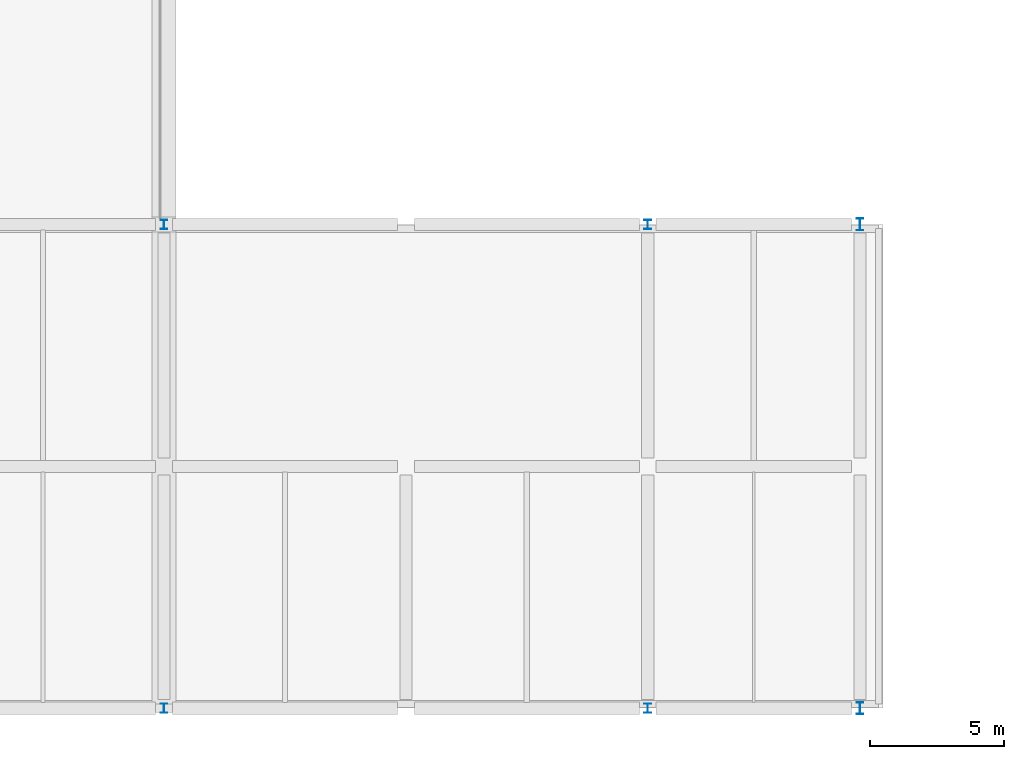
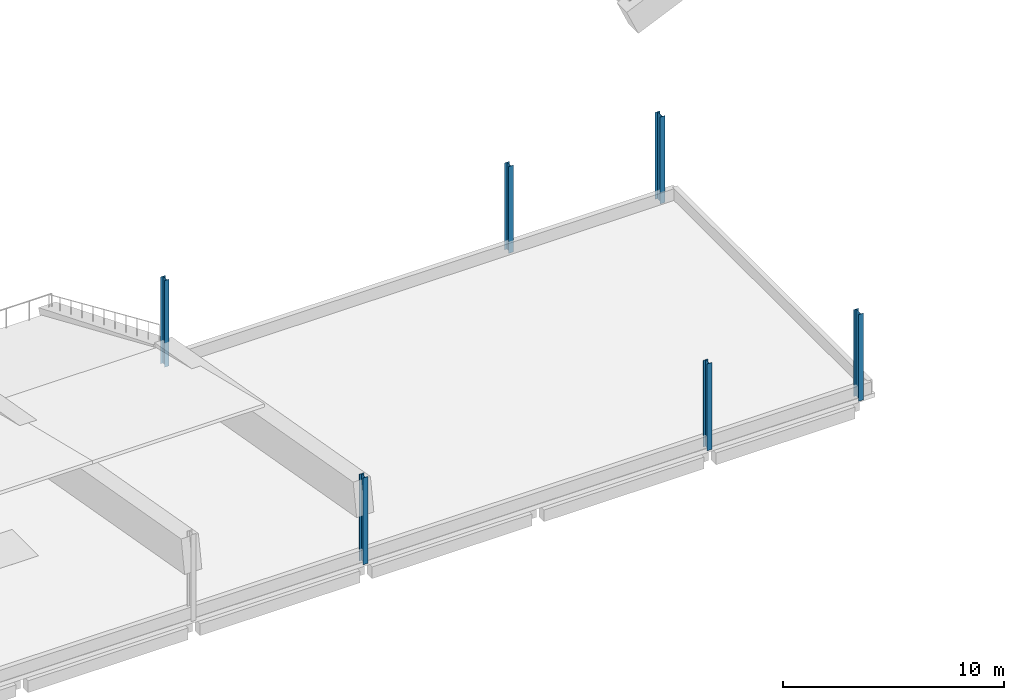
# One storey, part 9 of 66: 6 columns.
"""IFC4 building model written with IfcOpenShell, lengths in metres."""

from ifc_helpers import new_model, si_unit, direction, frame, origin, origin_2d, place, context, subcontext, project, spatial, i_section, extrude, material, material_profile, profile_set, type_object, element, save


model = new_model("IFC4")

# Units and contexts
model_context = context("Model", 3, precision=1e-05, world=origin(), true_north=direction((0.0, 1.0)))
body_context = subcontext(model_context, "Body", "Model", "MODEL_VIEW")
ifc_project = project(units=[si_unit("LENGTHUNIT", "METRE"), si_unit("AREAUNIT", "SQUARE_METRE"), si_unit("VOLUMEUNIT", "CUBIC_METRE"), si_unit("PLANEANGLEUNIT", "RADIAN"), si_unit("MASSUNIT", "GRAM", prefix="KILO"), si_unit("THERMODYNAMICTEMPERATUREUNIT", "KELVIN"), si_unit("POWERUNIT", "WATT")], contexts=[model_context])

# Site, building, storey
site_placement = place(None, origin())
site = spatial("IfcSite", under=ifc_project, at=site_placement, CompositionType="ELEMENT")
building_placement = place(site_placement, origin())
building = spatial("IfcBuilding", under=site, at=building_placement, Name="Sindhuravela Promenade Stadium", CompositionType="ELEMENT")
storey_placement = place(building_placement, frame((0.0, 0.0, 19.199951171875)))
storey = spatial("IfcBuildingStorey", under=building, at=storey_placement, Name="L04", CompositionType="ELEMENT", Elevation=19.199951171875)

# Columns
ifc_material = material(Name="Steel E350 (IS 2062 E350BR)", Category="steel")
ifc_material_profile_1 = material_profile(ifc_material, i_section(OverallWidth=0.25, OverallDepth=0.35009765625, WebThickness=0.010009765625, FlangeThickness=0.01171875, FilletRadius=0.011962890625, at=origin_2d()), Name="ISHB 350")
ifc_profile_set_1 = profile_set([ifc_material_profile_1], Name="Steel E350 (IS 2062 E350BR)")
column_type_1 = type_object("IfcColumnType", Name="ST-CL-HB350", PredefinedType="COLUMN", material=ifc_profile_set_1)
for number, where, z_axis, x_axis, name in (
    (1, (135.0, 9.0, 0.0), (0.0, 0.0, 1.0), (1.0, 0.0, 0.0), "Column SC02 SOUTH L04"),
    (2, (135.0, 27.0, 0.0), (0.0, 0.0, 1.0), (1.0, 0.0, 0.0), "Column SC02 SOUTH L04"),
    (3, (153.0, 9.0, 0.0), (0.0, 0.0, 1.0), (1.0, 0.0, 0.0), "Column SC02 SOUTH L04"),
    (4, (153.0, 27.0, 0.0), (0.0, 0.0, 1.0), (1.0, 0.0, 0.0), "Column SC02 SOUTH L04"),
):
    element("IfcColumn", number, at=place(storey_placement, frame(where, z_axis=z_axis, x_axis=x_axis)), inside=storey, type_object=column_type_1, Name=name, PredefinedType="COLUMN", context=body_context, shape_type="SweptSolid", body=[
        extrude(i_section(OverallWidth=0.25, OverallDepth=0.35009765625, WebThickness=0.010009765625, FlangeThickness=0.01171875, FilletRadius=0.011962890625, at=origin_2d()), origin(), (0.0, 0.0, 1.0), 4.800048828125),
    ])
ifc_material_profile_2 = material_profile(ifc_material, i_section(OverallWidth=0.25, OverallDepth=0.449951171875, WebThickness=0.01123046875, FlangeThickness=0.013671875, FilletRadius=0.014892578125, at=origin_2d()), Name="ISHB 450")
ifc_profile_set_2 = profile_set([ifc_material_profile_2], Name="Steel E350 (IS 2062 E350BR)")
column_type_2 = type_object("IfcColumnType", Name="ST-CL-HB450", PredefinedType="COLUMN", material=ifc_profile_set_2)
for number, where, z_axis, x_axis, name in (
    (5, (160.89990234375, 9.0, 0.0), (0.0, 0.0, 1.0), (1.0, 0.0, 0.0), "Column SC03 SOUTH L04"),
    (6, (160.89990234375, 27.0, 0.0), (0.0, 0.0, 1.0), (1.0, 0.0, 0.0), "Column SC03 SOUTH L04"),
):
    element("IfcColumn", number, at=place(storey_placement, frame(where, z_axis=z_axis, x_axis=x_axis)), inside=storey, type_object=column_type_2, Name=name, PredefinedType="COLUMN", context=body_context, shape_type="SweptSolid", body=[
        extrude(i_section(OverallWidth=0.25, OverallDepth=0.449951171875, WebThickness=0.01123046875, FlangeThickness=0.013671875, FilletRadius=0.014892578125, at=origin_2d()), origin(), (0.0, 0.0, 1.0), 4.800048828125),
    ])

save(model, "model.ifc")
